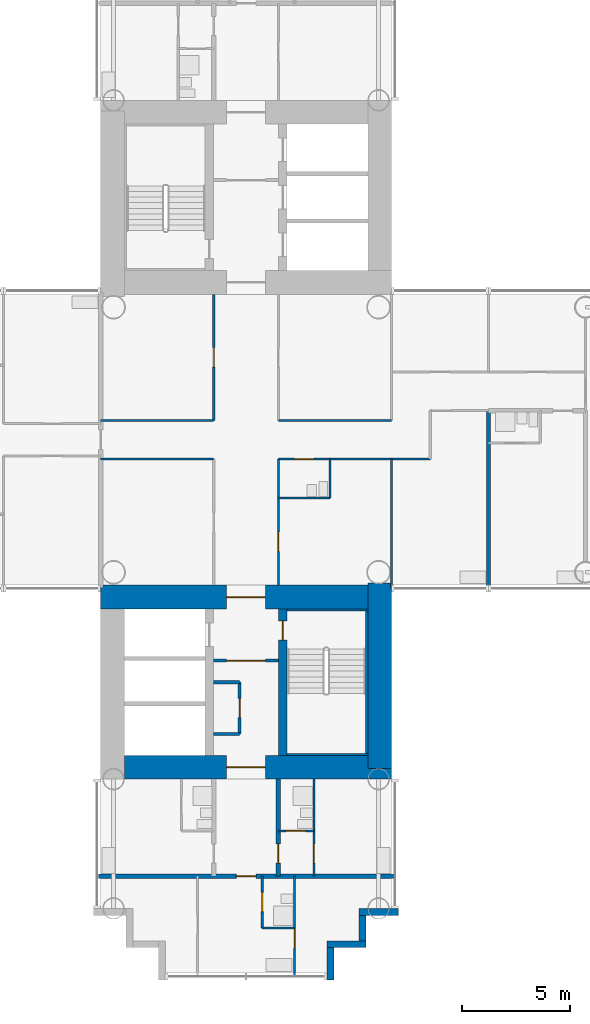
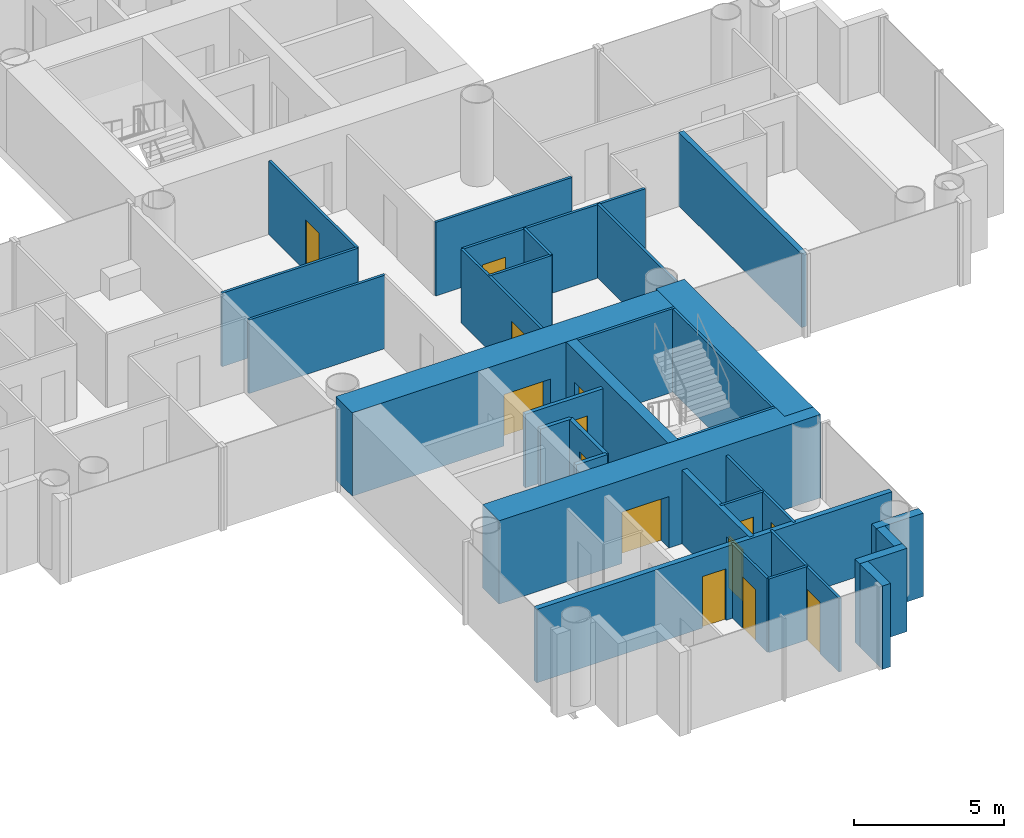
# One storey, part 14 of 22: 32 walls, 14 doors, 14 openings.
"""IFC4 building model written with IfcOpenShell, lengths in metres."""

from ifc_helpers import new_model, si_unit, direction, frame, frame_2d, origin, place, context, subcontext, project, spatial, rectangle, extrude, material, layer, layer_set, type_object, element, fill, save


model = new_model("IFC4")

# Units and contexts
model_context = context("Model", 3, precision=1e-05, world=origin(), true_north=direction((0.0, 1.0)))
body_context = subcontext(model_context, "Body", "Model", "MODEL_VIEW")
ifc_project = project(units=[si_unit("LENGTHUNIT", "METRE"), si_unit("AREAUNIT", "SQUARE_METRE"), si_unit("VOLUMEUNIT", "CUBIC_METRE"), si_unit("PLANEANGLEUNIT", "RADIAN"), si_unit("MASSUNIT", "GRAM", prefix="KILO")], contexts=[model_context])

# Site, building, storey
site_placement = place(None, origin())
site = spatial("IfcSite", under=ifc_project, at=site_placement, CompositionType="ELEMENT")
building_placement = place(site_placement, origin())
building = spatial("IfcBuilding", under=site, at=building_placement, Name="Ipe Terrace Towers", CompositionType="ELEMENT")
storey_placement = place(building_placement, frame((0.0, 0.0, 61.89990234375)))
storey = spatial("IfcBuildingStorey", under=building, at=storey_placement, Name="L16", CompositionType="ELEMENT", Elevation=61.89990234375)

# Walls
ifc_material_1 = material(Name="Concrete C40/50 with buff precast cladding", Category="concrete")
ifc_layer_1 = layer(ifc_material_1, 0.320068359375)
ifc_layer_set_1 = layer_set([ifc_layer_1], Name="BUFF CLADDING WALL 320")
wall_type_1 = type_object("IfcWallType", Name="BUFF CLADDING WALL 320", PredefinedType="STANDARD", material=ifc_layer_set_1)
wall_1_placement = place(storey_placement, frame((39.909912109375, -25.070068359375, -0.2998046875), z_axis=(0.0, 0.0, 1.0), x_axis=(0.0, 1.0, 0.0)))
element("IfcWall", 1, at=wall_1_placement, inside=storey, type_object=wall_type_1, Name="T2-W-L16-00a wall", PredefinedType="STANDARD", context=body_context, shape_type="SweptSolid", body=[
    extrude(rectangle(XDim=1.5, YDim=0.320068359375, at=frame_2d((0.75, 0.0))), origin(), (0.0, 0.0, 1.0), 3.39990234375),
])
wall_2_placement = place(storey_placement, frame((39.75, -23.409912109375, -0.2998046875), z_axis=(0.0, 0.0, 1.0), x_axis=(1.0, 0.0, 0.0)))
element("IfcWall", 2, at=wall_2_placement, inside=storey, type_object=wall_type_1, Name="T2-W-L16-01a wall", PredefinedType="STANDARD", context=body_context, shape_type="SweptSolid", body=[
    extrude(rectangle(XDim=1.820068359375, YDim=0.320068359375, at=frame_2d((0.91015625, 0.0))), origin(), (0.0, 0.0, 1.0), 3.39990234375),
])
wall_3_placement = place(storey_placement, frame((41.409912109375, -23.25, -0.2998046875), z_axis=(0.0, 0.0, 1.0), x_axis=(0.0, 1.0, 0.0)))
element("IfcWall", 3, at=wall_3_placement, inside=storey, type_object=wall_type_1, Name="T2-W-L16-02a wall", PredefinedType="STANDARD", context=body_context, shape_type="SweptSolid", body=[
    extrude(rectangle(XDim=1.179931640625, YDim=0.320068359375, at=frame_2d((0.58984375, 0.0))), origin(), (0.0, 0.0, 1.0), 3.39990234375),
])
wall_4_placement = place(storey_placement, frame((41.25, -21.909912109375, -0.2998046875), z_axis=(0.0, 0.0, 1.0), x_axis=(1.0, 0.0, 0.0)))
element("IfcWall", 4, at=wall_4_placement, inside=storey, type_object=wall_type_1, Name="T2-W-L16-03a wall", PredefinedType="STANDARD", context=body_context, shape_type="SweptSolid", body=[
    extrude(rectangle(XDim=1.820068359375, YDim=0.320068359375, at=frame_2d((0.91015625, 0.0))), origin(), (0.0, 0.0, 1.0), 3.39990234375),
])
ifc_material_2 = material(Name="Gypsum board partition", Category="plasterboard")
ifc_layer_2 = layer(ifc_material_2, 0.10009765625)
ifc_layer_set_2 = layer_set([ifc_layer_2], Name="Gypsum board partition 100 mm")
wall_type_2 = type_object("IfcWallType", Name="Gypsum board partition 100 mm", PredefinedType="PARTITIONING", material=ifc_layer_set_2)
wall_5_placement = place(storey_placement, frame((38.25, -22.64990234375, 0.0), z_axis=(0.0, 0.0, 1.0), x_axis=(-1.0, 0.0, 0.0)))
element("IfcWall", 5, at=wall_5_placement, inside=storey, type_object=wall_type_2, Name="Gypsum board partition T2 L16 W01", PredefinedType="PARTITIONING", context=body_context, shape_type="SweptSolid", body=[
    extrude(rectangle(XDim=1.5, YDim=0.10009765625, at=frame_2d((0.75, 0.0))), origin(), (0.0, 0.0, 1.0), 3.0),
])

# Wall, opening, door
wall_6_placement = place(storey_placement, frame((39.14990234375, -18.14990234375, 0.0), z_axis=(0.0, 0.0, 1.0), x_axis=(-1.0, 0.0, 0.0)))
wall_6 = element("IfcWall", 6, at=wall_6_placement, inside=storey, type_object=wall_type_2, Name="Gypsum board partition T2 L16 W03", PredefinedType="PARTITIONING", context=body_context, shape_type="SweptSolid", body=[
    extrude(rectangle(XDim=1.64990234375, YDim=0.10009765625, at=frame_2d((0.824951171875, 0.0))), origin(), (0.0, 0.0, 1.0), 3.0),
])
opening_1_placement = place(wall_6_placement, frame((0.39990234375, 0.0, 0.0)))
opening_1 = element("IfcOpeningElement", 7, at=opening_1_placement, cuts=wall_6, Name="Opening T2-Z1D-32", PredefinedType="OPENING", context=body_context, shape_type="SweptSolid", body=[
    extrude(rectangle(XDim=0.89990234375, YDim=2.10009765625, at=frame_2d((0.449951171875, 1.050048828125))), frame((0.0, 0.06005859375, 0.0), z_axis=(0.0, -1.0, 0.0), x_axis=(1.0, 0.0, 0.0)), (0.0, 0.0, 1.0), 0.1201171875),
])
ifc_material_3 = material(Name="Timber door leaf", Category="wood")
door_type_1 = type_object("IfcDoorType", Name="Bathroom door 900 x 2100", OperationType="NOTDEFINED", PredefinedType="DOOR", material=ifc_material_3)
door_1_placement = place(opening_1_placement, origin())
door_1 = element("IfcDoor", 8, at=door_1_placement, inside=storey, type_object=door_type_1, Name="Bathroom door T2-Z1D-32", OperationType="SINGLE_SWING_RIGHT", OverallHeight=2.10009765625, OverallWidth=0.89990234375, PredefinedType="DOOR", context=body_context, shape_type="SweptSolid", body=[
    extrude(rectangle(XDim=0.89990234375, YDim=2.10009765625, at=frame_2d((0.449951171875, 1.050048828125))), frame((0.0, 0.02490234375, 0.0), z_axis=(0.0, -1.0, 0.0), x_axis=(1.0, 0.0, 0.0)), (0.0, 0.0, 1.0), 0.050048828125),
])
fill(opening_1, door_1)

# Wall
wall_7_placement = place(storey_placement, frame((39.89990234375, -2.699951171875, 0.0), z_axis=(0.0, 0.0, 1.0), x_axis=(-1.0, 0.0, 0.0)))
element("IfcWall", 9, at=wall_7_placement, inside=storey, type_object=wall_type_2, Name="Gypsum board partition T2 L16 W06", PredefinedType="PARTITIONING", context=body_context, shape_type="SweptSolid", body=[
    extrude(rectangle(XDim=2.39990234375, YDim=0.10009765625, at=frame_2d((1.199951171875, 0.0))), origin(), (0.0, 0.0, 1.0), 3.0),
])

# Wall, opening, door
wall_8_placement = place(storey_placement, frame((44.550048828125, -0.89990234375, 0.0), z_axis=(0.0, 0.0, 1.0), x_axis=(-1.0, 0.0, 0.0)))
wall_8 = element("IfcWall", 10, at=wall_8_placement, inside=storey, type_object=wall_type_2, Name="Gypsum board partition T2 L16 W08", PredefinedType="PARTITIONING", context=body_context, shape_type="SweptSolid", body=[
    extrude(rectangle(XDim=7.050048828125, YDim=0.10009765625, at=frame_2d((3.52490234375, 0.0))), origin(), (0.0, 0.0, 1.0), 3.0),
])
opening_2_placement = place(wall_8_placement, frame((5.39990234375, 0.0, 0.0)))
opening_2 = element("IfcOpeningElement", 11, at=opening_2_placement, cuts=wall_8, Name="Opening T2-Z1D-01", PredefinedType="OPENING", context=body_context, shape_type="SweptSolid", body=[
    extrude(rectangle(XDim=0.89990234375, YDim=2.10009765625, at=frame_2d((0.449951171875, 1.050048828125))), frame((0.0, 0.06005859375, 0.0), z_axis=(0.0, -1.0, 0.0), x_axis=(1.0, 0.0, 0.0)), (0.0, 0.0, 1.0), 0.1201171875),
])
door_2_placement = place(opening_2_placement, origin())
door_2 = element("IfcDoor", 12, at=door_2_placement, inside=storey, type_object=door_type_1, Name="Bathroom door T2-Z1D-01", OperationType="SINGLE_SWING_LEFT", OverallHeight=2.10009765625, OverallWidth=0.89990234375, PredefinedType="DOOR", context=body_context, shape_type="SweptSolid", body=[
    extrude(rectangle(XDim=0.89990234375, YDim=2.10009765625, at=frame_2d((0.449951171875, 1.050048828125))), frame((0.0, 0.02490234375, 0.0), z_axis=(0.0, -1.0, 0.0), x_axis=(1.0, 0.0, 0.0)), (0.0, 0.0, 1.0), 0.050048828125),
])
fill(opening_2, door_2)

# Walls
for number, where, z_axis, x_axis, name in (
    (13, (34.5, -0.89990234375, 0.0), (0.0, 0.0, 1.0), (-1.0, 0.0, 0.0), "Gypsum board partition T2 L16 W09"),
    (14, (42.75, 0.89990234375, 0.0), (0.0, 0.0, 1.0), (-1.0, 0.0, 0.0), "Gypsum board partition T2 L16 W14"),
    (15, (34.5, 0.89990234375, 0.0), (0.0, 0.0, 1.0), (-1.0, 0.0, 0.0), "Gypsum board partition T2 L16 W15"),
):
    element("IfcWall", number, at=place(storey_placement, frame(where, z_axis=z_axis, x_axis=x_axis)), inside=storey, type_object=wall_type_2, Name=name, PredefinedType="PARTITIONING", context=body_context, shape_type="SweptSolid", body=[
        extrude(rectangle(XDim=5.25, YDim=0.10009765625, at=frame_2d((2.625, 0.0))), origin(), (0.0, 0.0, 1.0), 3.0),
    ])
wall_9_placement = place(storey_placement, frame((42.75, -6.85009765625, 0.0), z_axis=(0.0, 0.0, 1.0), x_axis=(0.0, 1.0, 0.0)))
element("IfcWall", 16, at=wall_9_placement, inside=storey, type_object=wall_type_2, Name="Gypsum board partition T2 L16 W30", PredefinedType="PARTITIONING", context=body_context, shape_type="SweptSolid", body=[
    extrude(rectangle(XDim=5.9501953125, YDim=0.10009765625, at=frame_2d((2.97509765625, 0.0))), origin(), (0.0, 0.0, 1.0), 3.0),
])
wall_10_placement = place(storey_placement, frame((39.89990234375, -2.699951171875, 0.0), z_axis=(0.0, 0.0, 1.0), x_axis=(0.0, 1.0, 0.0)))
element("IfcWall", 17, at=wall_10_placement, inside=storey, type_object=wall_type_2, Name="Gypsum board partition T2 L16 W32", PredefinedType="PARTITIONING", context=body_context, shape_type="SweptSolid", body=[
    extrude(rectangle(XDim=1.800048828125, YDim=0.10009765625, at=frame_2d((0.89990234375, 0.0))), origin(), (0.0, 0.0, 1.0), 3.0),
])

# Wall, opening, door
wall_11_placement = place(storey_placement, frame((39.14990234375, -20.25, 0.0), z_axis=(0.0, 0.0, 1.0), x_axis=(0.0, 1.0, 0.0)))
wall_11 = element("IfcWall", 18, at=wall_11_placement, inside=storey, type_object=wall_type_2, Name="Gypsum board partition T2 L16 W33", PredefinedType="PARTITIONING", context=body_context, shape_type="SweptSolid", body=[
    extrude(rectangle(XDim=4.5, YDim=0.10009765625, at=frame_2d((2.25, 0.0))), origin(), (0.0, 0.0, 1.0), 3.0),
])
opening_3_placement = place(wall_11_placement, frame((0.60009765625, 0.0, 0.0)))
opening_3 = element("IfcOpeningElement", 19, at=opening_3_placement, cuts=wall_11, Name="Opening T2-Z1D-31", PredefinedType="OPENING", context=body_context, shape_type="SweptSolid", body=[
    extrude(rectangle(XDim=0.89990234375, YDim=2.10009765625, at=frame_2d((0.449951171875, 1.050048828125))), frame((0.0, 0.06005859375, 0.0), z_axis=(0.0, -1.0, 0.0), x_axis=(1.0, 0.0, 0.0)), (0.0, 0.0, 1.0), 0.1201171875),
])
ifc_material_4 = material(Name="Timber door leaf", Category="wood")
door_type_2 = type_object("IfcDoorType", Name="Bedroom door 900 x 2100", OperationType="NOTDEFINED", PredefinedType="DOOR", material=ifc_material_4)
door_3_placement = place(opening_3_placement, origin())
door_3 = element("IfcDoor", 20, at=door_3_placement, inside=storey, type_object=door_type_2, Name="Bedroom door T2-Z1D-31", OperationType="SINGLE_SWING_LEFT", OverallHeight=2.10009765625, OverallWidth=0.89990234375, PredefinedType="DOOR", context=body_context, shape_type="SweptSolid", body=[
    extrude(rectangle(XDim=0.89990234375, YDim=2.10009765625, at=frame_2d((0.449951171875, 1.050048828125))), frame((0.0, 0.02490234375, 0.0), z_axis=(0.0, -1.0, 0.0), x_axis=(1.0, 0.0, 0.0)), (0.0, 0.0, 1.0), 0.050048828125),
])
fill(opening_3, door_3)

wall_12_placement = place(storey_placement, frame((38.25, -24.85009765625, 0.0), z_axis=(0.0, 0.0, 1.0), x_axis=(0.0, 1.0, 0.0)))
wall_12 = element("IfcWall", 21, at=wall_12_placement, inside=storey, type_object=wall_type_2, Name="Gypsum board partition T2 L16 W34", PredefinedType="PARTITIONING", context=body_context, shape_type="SweptSolid", body=[
    extrude(rectangle(XDim=4.60009765625, YDim=0.10009765625, at=frame_2d((2.300048828125, 0.0))), origin(), (0.0, 0.0, 1.0), 3.0),
])
opening_4_placement = place(wall_12_placement, frame((1.25, 0.0, 0.0)))
opening_4 = element("IfcOpeningElement", 22, at=opening_4_placement, cuts=wall_12, Name="Opening T2-Z1D-37", PredefinedType="OPENING", context=body_context, shape_type="SweptSolid", body=[
    extrude(rectangle(XDim=0.89990234375, YDim=2.10009765625, at=frame_2d((0.449951171875, 1.050048828125))), frame((0.0, 0.06005859375, 0.0), z_axis=(0.0, -1.0, 0.0), x_axis=(1.0, 0.0, 0.0)), (0.0, 0.0, 1.0), 0.1201171875),
])
ifc_material_5 = material(Name="Timber door leaf", Category="wood")
door_type_3 = type_object("IfcDoorType", Name="Lounge door 900 x 2100", OperationType="NOTDEFINED", PredefinedType="DOOR", material=ifc_material_5)
door_4_placement = place(opening_4_placement, origin())
door_4 = element("IfcDoor", 23, at=door_4_placement, inside=storey, type_object=door_type_3, Name="Lounge door T2-Z1D-37", OperationType="SINGLE_SWING_LEFT", OverallHeight=2.10009765625, OverallWidth=0.89990234375, PredefinedType="DOOR", context=body_context, shape_type="SweptSolid", body=[
    extrude(rectangle(XDim=0.89990234375, YDim=2.10009765625, at=frame_2d((0.449951171875, 1.050048828125))), frame((0.0, 0.02490234375, 0.0), z_axis=(0.0, -1.0, 0.0), x_axis=(1.0, 0.0, 0.0)), (0.0, 0.0, 1.0), 0.050048828125),
])
fill(opening_4, door_4)

wall_13_placement = place(storey_placement, frame((37.5, -6.75, 0.0), z_axis=(0.0, 0.0, 1.0), x_axis=(0.0, 1.0, 0.0)))
wall_13 = element("IfcWall", 24, at=wall_13_placement, inside=storey, type_object=wall_type_2, Name="Gypsum board partition T2 L16 W36", PredefinedType="PARTITIONING", context=body_context, shape_type="SweptSolid", body=[
    extrude(rectangle(XDim=5.85009765625, YDim=0.10009765625, at=frame_2d((2.925048828125, 0.0))), origin(), (0.0, 0.0, 1.0), 3.0),
])
opening_5_placement = place(wall_13_placement, frame((1.574951171875, 0.0, 0.0)))
opening_5 = element("IfcOpeningElement", 25, at=opening_5_placement, cuts=wall_13, Name="Opening T2-Z1D-04", PredefinedType="OPENING", context=body_context, shape_type="SweptSolid", body=[
    extrude(rectangle(XDim=0.89990234375, YDim=2.10009765625, at=frame_2d((0.449951171875, 1.050048828125))), frame((0.0, 0.06005859375, 0.0), z_axis=(0.0, -1.0, 0.0), x_axis=(1.0, 0.0, 0.0)), (0.0, 0.0, 1.0), 0.1201171875),
])
door_5_placement = place(opening_5_placement, origin())
door_5 = element("IfcDoor", 26, at=door_5_placement, inside=storey, type_object=door_type_3, Name="Lounge door T2-Z1D-04", OperationType="SINGLE_SWING_LEFT", OverallHeight=2.10009765625, OverallWidth=0.89990234375, PredefinedType="DOOR", context=body_context, shape_type="SweptSolid", body=[
    extrude(rectangle(XDim=0.89990234375, YDim=2.10009765625, at=frame_2d((0.449951171875, 1.050048828125))), frame((0.0, 0.02490234375, 0.0), z_axis=(0.0, -1.0, 0.0), x_axis=(1.0, 0.0, 0.0)), (0.0, 0.0, 1.0), 0.050048828125),
])
fill(opening_5, door_5)

wall_14_placement = place(storey_placement, frame((36.75, -22.64990234375, 0.0), z_axis=(0.0, 0.0, 1.0), x_axis=(0.0, 1.0, 0.0)))
wall_14 = element("IfcWall", 27, at=wall_14_placement, inside=storey, type_object=wall_type_2, Name="Gypsum board partition T2 L16 W40", PredefinedType="PARTITIONING", context=body_context, shape_type="SweptSolid", body=[
    extrude(rectangle(XDim=2.39990234375, YDim=0.10009765625, at=frame_2d((1.199951171875, 0.0))), origin(), (0.0, 0.0, 1.0), 3.0),
])
opening_6_placement = place(wall_14_placement, frame((0.75, 0.0, 0.0)))
opening_6 = element("IfcOpeningElement", 28, at=opening_6_placement, cuts=wall_14, Name="Opening T2-Z1D-35", PredefinedType="OPENING", context=body_context, shape_type="SweptSolid", body=[
    extrude(rectangle(XDim=0.89990234375, YDim=2.10009765625, at=frame_2d((0.449951171875, 1.050048828125))), frame((0.0, 0.06005859375, 0.0), z_axis=(0.0, -1.0, 0.0), x_axis=(1.0, 0.0, 0.0)), (0.0, 0.0, 1.0), 0.1201171875),
])
door_6_placement = place(opening_6_placement, origin())
door_6 = element("IfcDoor", 29, at=door_6_placement, inside=storey, type_object=door_type_1, Name="Bathroom door T2-Z1D-35", OperationType="SINGLE_SWING_RIGHT", OverallHeight=2.10009765625, OverallWidth=0.89990234375, PredefinedType="DOOR", context=body_context, shape_type="SweptSolid", body=[
    extrude(rectangle(XDim=0.89990234375, YDim=2.10009765625, at=frame_2d((0.449951171875, 1.050048828125))), frame((0.0, 0.02490234375, 0.0), z_axis=(0.0, -1.0, 0.0), x_axis=(1.0, 0.0, 0.0)), (0.0, 0.0, 1.0), 0.050048828125),
])
fill(opening_6, door_6)

wall_15_placement = place(storey_placement, frame((34.5, 0.89990234375, 0.0), z_axis=(0.0, 0.0, 1.0), x_axis=(0.0, 1.0, 0.0)))
wall_15 = element("IfcWall", 30, at=wall_15_placement, inside=storey, type_object=wall_type_2, Name="Gypsum board partition T2 L16 W43", PredefinedType="PARTITIONING", context=body_context, shape_type="SweptSolid", body=[
    extrude(rectangle(XDim=5.85009765625, YDim=0.10009765625, at=frame_2d((2.925048828125, 0.0))), origin(), (0.0, 0.0, 1.0), 3.0),
])
opening_7_placement = place(wall_15_placement, frame((2.47509765625, 0.0, 0.0)))
opening_7 = element("IfcOpeningElement", 31, at=opening_7_placement, cuts=wall_15, Name="Opening T2-Z1D-02", PredefinedType="OPENING", context=body_context, shape_type="SweptSolid", body=[
    extrude(rectangle(XDim=0.89990234375, YDim=2.10009765625, at=frame_2d((0.449951171875, 1.050048828125))), frame((0.0, 0.06005859375, 0.0), z_axis=(0.0, -1.0, 0.0), x_axis=(1.0, 0.0, 0.0)), (0.0, 0.0, 1.0), 0.1201171875),
])
door_7_placement = place(opening_7_placement, origin())
door_7 = element("IfcDoor", 32, at=door_7_placement, inside=storey, type_object=door_type_3, Name="Lounge door T2-Z1D-02", OperationType="SINGLE_SWING_LEFT", OverallHeight=2.10009765625, OverallWidth=0.89990234375, PredefinedType="DOOR", context=body_context, shape_type="SweptSolid", body=[
    extrude(rectangle(XDim=0.89990234375, YDim=2.10009765625, at=frame_2d((0.449951171875, 1.050048828125))), frame((0.0, 0.02490234375, 0.0), z_axis=(0.0, -1.0, 0.0), x_axis=(1.0, 0.0, 0.0)), (0.0, 0.0, 1.0), 0.050048828125),
])
fill(opening_7, door_7)

ifc_material_6 = material(Name="Gypsum board partition", Category="plasterboard")
ifc_layer_3 = layer(ifc_material_6, 0.14990234375)
ifc_layer_set_3 = layer_set([ifc_layer_3], Name="Gypsum board partition 150 mm")
wall_type_3 = type_object("IfcWallType", Name="Gypsum board partition 150 mm", PredefinedType="PARTITIONING", material=ifc_layer_set_3)
wall_16_placement = place(storey_placement, frame((34.5, -10.25, 0.0), z_axis=(0.0, 0.0, 1.0), x_axis=(1.0, 0.0, 0.0)))
wall_16 = element("IfcWall", 33, at=wall_16_placement, inside=storey, type_object=wall_type_3, Name="Gypsum board partition T2 L16 t2c2-lobby-wall", PredefinedType="PARTITIONING", context=body_context, shape_type="SweptSolid", body=[
    extrude(rectangle(XDim=3.0, YDim=0.14990234375, at=frame_2d((1.5, 0.0))), origin(), (0.0, 0.0, 1.0), 3.0),
])
opening_8_placement = place(wall_16_placement, frame((0.60009765625, 0.0, 0.0)))
opening_8 = element("IfcOpeningElement", 34, at=opening_8_placement, cuts=wall_16, Name="Opening T2C2-VD", PredefinedType="OPENING", context=body_context, shape_type="SweptSolid", body=[
    extrude(rectangle(XDim=1.800048828125, YDim=2.10009765625, at=frame_2d((0.89990234375, 1.050048828125))), frame((0.0, 0.0849609375, 0.0), z_axis=(0.0, -1.0, 0.0), x_axis=(1.0, 0.0, 0.0)), (0.0, 0.0, 1.0), 0.169921875),
])
ifc_material_7 = material(Name="Fire-rated timber door leaf", Category="wood")
door_type_4 = type_object("IfcDoorType", Name="Lobby door 1800 x 2100 FD60", OperationType="NOTDEFINED", PredefinedType="DOOR", material=ifc_material_7)
door_8_placement = place(opening_8_placement, origin())
door_8 = element("IfcDoor", 35, at=door_8_placement, inside=storey, type_object=door_type_4, Name="Lobby door T2C2-VD", OperationType="SINGLE_SWING_LEFT", OverallHeight=2.10009765625, OverallWidth=1.800048828125, PredefinedType="DOOR", context=body_context, shape_type="SweptSolid", body=[
    extrude(rectangle(XDim=1.800048828125, YDim=2.10009765625, at=frame_2d((0.89990234375, 1.050048828125))), frame((0.0, 0.02490234375, 0.0), z_axis=(0.0, -1.0, 0.0), x_axis=(1.0, 0.0, 0.0)), (0.0, 0.0, 1.0), 0.050048828125),
])
fill(opening_8, door_8)

wall_17_placement = place(storey_placement, frame((35.699951171875, -11.25, 0.0), z_axis=(0.0, 0.0, 1.0), x_axis=(0.0, -1.0, 0.0)))
wall_17 = element("IfcWall", 36, at=wall_17_placement, inside=storey, type_object=wall_type_3, Name="Gypsum board partition T2 L16 t2c2-cup-s-f", PredefinedType="PARTITIONING", context=body_context, shape_type="SweptSolid", body=[
    extrude(rectangle(XDim=2.39990234375, YDim=0.14990234375, at=frame_2d((1.199951171875, 0.0))), origin(), (0.0, 0.0, 1.0), 3.0),
])
opening_9_placement = place(wall_17_placement, frame((0.75, 0.0, 0.0)))
opening_9 = element("IfcOpeningElement", 37, at=opening_9_placement, cuts=wall_17, Name="Opening T2C2-SC", PredefinedType="OPENING", context=body_context, shape_type="SweptSolid", body=[
    extrude(rectangle(XDim=0.89990234375, YDim=2.10009765625, at=frame_2d((0.449951171875, 1.050048828125))), frame((0.0, 0.0849609375, 0.0), z_axis=(0.0, -1.0, 0.0), x_axis=(1.0, 0.0, 0.0)), (0.0, 0.0, 1.0), 0.169921875),
])
ifc_material_8 = material(Name="Fire-rated timber door leaf", Category="wood")
door_type_5 = type_object("IfcDoorType", Name="Service door 900 x 2100 FD30S", OperationType="NOTDEFINED", PredefinedType="DOOR", material=ifc_material_8)
door_9_placement = place(opening_9_placement, origin())
door_9 = element("IfcDoor", 38, at=door_9_placement, inside=storey, type_object=door_type_5, Name="Service door T2C2-SC", OperationType="SINGLE_SWING_LEFT", OverallHeight=2.10009765625, OverallWidth=0.89990234375, PredefinedType="DOOR", context=body_context, shape_type="SweptSolid", body=[
    extrude(rectangle(XDim=0.89990234375, YDim=2.10009765625, at=frame_2d((0.449951171875, 1.050048828125))), frame((0.0, 0.02490234375, 0.0), z_axis=(0.0, -1.0, 0.0), x_axis=(1.0, 0.0, 0.0)), (0.0, 0.0, 1.0), 0.050048828125),
])
fill(opening_9, door_9)

# Walls
for number, where, z_axis, x_axis, name in (
    (39, (35.699951171875, -11.25, 0.0), (0.0, 0.0, 1.0), (-1.0, 0.0, 0.0), "Gypsum board partition T2 L16 t2c2-cup-s-a"),
    (40, (35.699951171875, -13.64990234375, 0.0), (0.0, 0.0, 1.0), (-1.0, 0.0, 0.0), "Gypsum board partition T2 L16 t2c2-cup-s-b"),
):
    element("IfcWall", number, at=place(storey_placement, frame(where, z_axis=z_axis, x_axis=x_axis)), inside=storey, type_object=wall_type_3, Name=name, PredefinedType="PARTITIONING", context=body_context, shape_type="SweptSolid", body=[
        extrude(rectangle(XDim=1.199951171875, YDim=0.14990234375, at=frame_2d((0.60009765625, 0.0))), origin(), (0.0, 0.0, 1.0), 3.0),
    ])

# Wall, opening, door
ifc_material_9 = material(Name="Gypsum board party wall", Category="plasterboard")
ifc_layer_4 = layer(ifc_material_9, 0.199951171875)
ifc_layer_set_4 = layer_set([ifc_layer_4], Name="Gypsum board party wall 200 mm")
wall_type_4 = type_object("IfcWallType", Name="Gypsum board party wall 200 mm", PredefinedType="SOLIDWALL", material=ifc_layer_set_4)
wall_18_placement = place(storey_placement, frame((42.85009765625, -20.25, 0.0), z_axis=(0.0, 0.0, 1.0), x_axis=(-1.0, 0.0, 0.0)))
wall_18 = element("IfcWall", 41, at=wall_18_placement, inside=storey, type_object=wall_type_4, Name="Gypsum board party wall T2 L16 W02", PredefinedType="SOLIDWALL", context=body_context, shape_type="SweptSolid", body=[
    extrude(rectangle(XDim=13.7001953125, YDim=0.199951171875, at=frame_2d((6.85009765625, 0.0))), origin(), (0.0, 0.0, 1.0), 3.0),
])
opening_10_placement = place(wall_18_placement, frame((6.39990234375, 0.0, 0.0)))
opening_10 = element("IfcOpeningElement", 42, at=opening_10_placement, cuts=wall_18, Name="Opening T2-Z1D-36", PredefinedType="OPENING", context=body_context, shape_type="SweptSolid", body=[
    extrude(rectangle(XDim=0.89990234375, YDim=2.10009765625, at=frame_2d((0.449951171875, 1.050048828125))), frame((0.0, 0.10986328125, 0.0), z_axis=(0.0, -1.0, 0.0), x_axis=(1.0, 0.0, 0.0)), (0.0, 0.0, 1.0), 0.219970703125),
])
ifc_material_10 = material(Name="Fire-rated timber door leaf", Category="wood")
door_type_6 = type_object("IfcDoorType", Name="Flat entrance door 900 x 2100 FD30S", OperationType="NOTDEFINED", PredefinedType="DOOR", material=ifc_material_10)
door_10_placement = place(opening_10_placement, origin())
door_10 = element("IfcDoor", 43, at=door_10_placement, inside=storey, type_object=door_type_6, Name="Flat entrance door T2-Z1D-36", OperationType="SINGLE_SWING_LEFT", OverallHeight=2.10009765625, OverallWidth=0.89990234375, PredefinedType="DOOR", context=body_context, shape_type="SweptSolid", body=[
    extrude(rectangle(XDim=0.89990234375, YDim=2.10009765625, at=frame_2d((0.449951171875, 1.050048828125))), frame((0.0, 0.02490234375, 0.0), z_axis=(0.0, -1.0, 0.0), x_axis=(1.0, 0.0, 0.0)), (0.0, 0.0, 1.0), 0.050048828125),
])
fill(opening_10, door_10)

# Wall
wall_19_placement = place(storey_placement, frame((47.25, -6.85009765625, 0.0), z_axis=(0.0, 0.0, 1.0), x_axis=(0.0, 1.0, 0.0)))
element("IfcWall", 44, at=wall_19_placement, inside=storey, type_object=wall_type_4, Name="Gypsum board party wall T2 L16 W28", PredefinedType="SOLIDWALL", context=body_context, shape_type="SweptSolid", body=[
    extrude(rectangle(XDim=8.2001953125, YDim=0.199951171875, at=frame_2d((4.10009765625, 0.0))), origin(), (0.0, 0.0, 1.0), 3.0),
])

# Wall, opening, door
wall_20_placement = place(storey_placement, frame((37.5, -20.25, 0.0), z_axis=(0.0, 0.0, 1.0), x_axis=(0.0, 1.0, 0.0)))
wall_20 = element("IfcWall", 45, at=wall_20_placement, inside=storey, type_object=wall_type_4, Name="Gypsum board party wall T2 L16 W39", PredefinedType="SOLIDWALL", context=body_context, shape_type="SweptSolid", body=[
    extrude(rectangle(XDim=4.5, YDim=0.199951171875, at=frame_2d((2.25, 0.0))), origin(), (0.0, 0.0, 1.0), 3.0),
])
opening_11_placement = place(wall_20_placement, frame((0.60009765625, 0.0, 0.0)))
opening_11 = element("IfcOpeningElement", 46, at=opening_11_placement, cuts=wall_20, Name="Opening T2-Z1D-30", PredefinedType="OPENING", context=body_context, shape_type="SweptSolid", body=[
    extrude(rectangle(XDim=0.89990234375, YDim=2.10009765625, at=frame_2d((0.449951171875, 1.050048828125))), frame((0.0, 0.10986328125, 0.0), z_axis=(0.0, -1.0, 0.0), x_axis=(1.0, 0.0, 0.0)), (0.0, 0.0, 1.0), 0.219970703125),
])
door_11_placement = place(opening_11_placement, origin())
door_11 = element("IfcDoor", 47, at=door_11_placement, inside=storey, type_object=door_type_6, Name="Flat entrance door T2-Z1D-30", OperationType="SINGLE_SWING_LEFT", OverallHeight=2.10009765625, OverallWidth=0.89990234375, PredefinedType="DOOR", context=body_context, shape_type="SweptSolid", body=[
    extrude(rectangle(XDim=0.89990234375, YDim=2.10009765625, at=frame_2d((0.449951171875, 1.050048828125))), frame((0.0, 0.02490234375, 0.0), z_axis=(0.0, -1.0, 0.0), x_axis=(1.0, 0.0, 0.0)), (0.0, 0.0, 1.0), 0.050048828125),
])
fill(opening_11, door_11)

# Walls
ifc_material_11 = material(Name="Concrete C60/75", Category="concrete")
ifc_layer_5 = layer(ifc_material_11, 0.10009765625)
ifc_layer_set_5 = layer_set([ifc_layer_5], Name="RW100 CORE INFILL WALL 100 C60-75")
wall_type_5 = type_object("IfcWallType", Name="RW100 CORE INFILL WALL 100 C60-75", PredefinedType="SHEAR", material=ifc_layer_set_5)
wall_21_placement = place(storey_placement, frame((37.89990234375, -14.60009765625, 0.0), z_axis=(0.0, 0.0, 1.0), x_axis=(1.0, 0.0, 0.0)))
element("IfcWall", 48, at=wall_21_placement, inside=storey, type_object=wall_type_5, Name="Core infill wall T2-C2-far", PredefinedType="SHEAR", context=body_context, shape_type="SweptSolid", body=[
    extrude(rectangle(XDim=3.75, YDim=0.10009765625, at=frame_2d((1.875, 0.0))), origin(), (0.0, 0.0, 1.0), 3.400146484375),
])
wall_22_placement = place(storey_placement, frame((41.60009765625, -7.949951171875, 0.0), z_axis=(0.0, 0.0, 1.0), x_axis=(0.0, -1.0, 0.0)))
element("IfcWall", 49, at=wall_22_placement, inside=storey, type_object=wall_type_5, Name="Core infill wall T2-C2-back", PredefinedType="SHEAR", context=body_context, shape_type="SweptSolid", body=[
    extrude(rectangle(XDim=6.60009765625, YDim=0.10009765625, at=frame_2d((3.300048828125, 0.0))), origin(), (0.0, 0.0, 1.0), 3.400146484375),
])
wall_23_placement = place(storey_placement, frame((37.89990234375, -7.89990234375, 0.0), z_axis=(0.0, 0.0, 1.0), x_axis=(1.0, 0.0, 0.0)))
element("IfcWall", 50, at=wall_23_placement, inside=storey, type_object=wall_type_5, Name="Core infill wall T2-C2-near", PredefinedType="SHEAR", context=body_context, shape_type="SweptSolid", body=[
    extrude(rectangle(XDim=3.75, YDim=0.10009765625, at=frame_2d((1.875, 0.0))), origin(), (0.0, 0.0, 1.0), 3.400146484375),
])

# Wall, opening, door
ifc_material_12 = material(Name="Concrete C60/75", Category="concrete")
ifc_layer_6 = layer(ifc_material_12, 1.10009765625)
ifc_layer_set_6 = layer_set([ifc_layer_6], Name="RW1100 CORE WALL 1100 C60-75")
wall_type_6 = type_object("IfcWallType", Name="RW1100 CORE WALL 1100 C60-75", PredefinedType="SHEAR", material=ifc_layer_set_6)
wall_24_placement = place(storey_placement, frame((30.35009765625, -15.199951171875, 0.0), z_axis=(0.0, 0.0, 1.0), x_axis=(1.0, 0.0, 0.0)))
wall_24 = element("IfcWall", 51, at=wall_24_placement, inside=storey, type_object=wall_type_6, Name="Core wall T2-C2-Z1-W01", PredefinedType="SHEAR", context=body_context, shape_type="SweptSolid", body=[
    extrude(rectangle(XDim=12.39990234375, YDim=1.10009765625, at=frame_2d((6.199951171875, 0.0))), origin(), (0.0, 0.0, 1.0), 3.400146484375),
])
opening_12_placement = place(wall_24_placement, frame((4.75, 0.0, 0.0)))
opening_12 = element("IfcOpeningElement", 52, at=opening_12_placement, cuts=wall_24, Name="Opening T2C2-FD", PredefinedType="OPENING", context=body_context, shape_type="SweptSolid", body=[
    extrude(rectangle(XDim=1.800048828125, YDim=2.10009765625, at=frame_2d((0.89990234375, 1.050048828125))), frame((0.0, 0.56005859375, 0.0), z_axis=(0.0, -1.0, 0.0), x_axis=(1.0, 0.0, 0.0)), (0.0, 0.0, 1.0), 1.1201171875),
])
ifc_material_13 = material(Name="Fire-rated timber door leaf", Category="wood")
door_type_7 = type_object("IfcDoorType", Name="Fire door 1800 x 2100 FD30S", OperationType="NOTDEFINED", PredefinedType="DOOR", material=ifc_material_13)
door_12_placement = place(opening_12_placement, origin())
door_12 = element("IfcDoor", 53, at=door_12_placement, inside=storey, type_object=door_type_7, Name="Fire door T2C2-FD", OperationType="SINGLE_SWING_LEFT", OverallHeight=2.10009765625, OverallWidth=1.800048828125, PredefinedType="DOOR", context=body_context, shape_type="SweptSolid", body=[
    extrude(rectangle(XDim=1.800048828125, YDim=2.10009765625, at=frame_2d((0.89990234375, 1.050048828125))), frame((0.0, 0.02490234375, 0.0), z_axis=(0.0, -1.0, 0.0), x_axis=(1.0, 0.0, 0.0)), (0.0, 0.0, 1.0), 0.050048828125),
])
fill(opening_12, door_12)

# Wall
wall_25_placement = place(storey_placement, frame((42.199951171875, -15.248046875, 0.0), z_axis=(0.0, 0.0, 1.0), x_axis=(0.0, 1.0, 0.0)))
element("IfcWall", 54, at=wall_25_placement, inside=storey, type_object=wall_type_6, Name="Core wall T2-C2-Z1-W02", PredefinedType="SHEAR", context=body_context, shape_type="SweptSolid", body=[
    extrude(rectangle(XDim=8.595947265625, YDim=1.10009765625, at=frame_2d((4.2978515625, 0.0))), origin(), (0.0, 0.0, 1.0), 3.400146484375),
])

# Wall, opening, door
wall_26_placement = place(storey_placement, frame((41.64990234375, -7.300048828125, 0.0), z_axis=(0.0, 0.0, 1.0), x_axis=(-1.0, 0.0, 0.0)))
wall_26 = element("IfcWall", 55, at=wall_26_placement, inside=storey, type_object=wall_type_6, Name="Core wall T2-C2-Z1-W03", PredefinedType="SHEAR", context=body_context, shape_type="SweptSolid", body=[
    extrude(rectangle(XDim=12.39990234375, YDim=1.10009765625, at=frame_2d((6.199951171875, 0.0))), origin(), (0.0, 0.0, 1.0), 3.400146484375),
])
opening_13_placement = place(wall_26_placement, frame((4.75, 0.0, 0.0)))
opening_13 = element("IfcOpeningElement", 56, at=opening_13_placement, cuts=wall_26, Name="Opening T2C2-ND", PredefinedType="OPENING", context=body_context, shape_type="SweptSolid", body=[
    extrude(rectangle(XDim=1.800048828125, YDim=2.10009765625, at=frame_2d((0.89990234375, 1.050048828125))), frame((0.0, 0.56005859375, 0.0), z_axis=(0.0, -1.0, 0.0), x_axis=(1.0, 0.0, 0.0)), (0.0, 0.0, 1.0), 1.1201171875),
])
door_13_placement = place(opening_13_placement, origin())
door_13 = element("IfcDoor", 57, at=door_13_placement, inside=storey, type_object=door_type_7, Name="Fire door T2C2-ND", OperationType="SINGLE_SWING_LEFT", OverallHeight=2.10009765625, OverallWidth=1.800048828125, PredefinedType="DOOR", context=body_context, shape_type="SweptSolid", body=[
    extrude(rectangle(XDim=1.800048828125, YDim=2.10009765625, at=frame_2d((0.89990234375, 1.050048828125))), frame((0.0, 0.02490234375, 0.0), z_axis=(0.0, -1.0, 0.0), x_axis=(1.0, 0.0, 0.0)), (0.0, 0.0, 1.0), 0.050048828125),
])
fill(opening_13, door_13)

ifc_material_14 = material(Name="Concrete C60/75", Category="concrete")
ifc_layer_7 = layer(ifc_material_14, 0.39990234375)
ifc_layer_set_7 = layer_set([ifc_layer_7], Name="RW400 CORE SPINE WALL 400 C60-75")
wall_type_7 = type_object("IfcWallType", Name="RW400 CORE SPINE WALL 400 C60-75", PredefinedType="SHEAR", material=ifc_layer_set_7)
wall_27_placement = place(storey_placement, frame((37.699951171875, -14.64990234375, 0.0), z_axis=(0.0, 0.0, 1.0), x_axis=(0.0, 1.0, 0.0)))
wall_27 = element("IfcWall", 58, at=wall_27_placement, inside=storey, type_object=wall_type_7, Name="Core spine wall T2-C2-Z1-SW2", PredefinedType="SHEAR", context=body_context, shape_type="SweptSolid", body=[
    extrude(rectangle(XDim=6.7998046875, YDim=0.39990234375, at=frame_2d((3.39990234375, 0.0))), origin(), (0.0, 0.0, 1.0), 3.400146484375),
])
opening_14_placement = place(wall_27_placement, frame((5.35009765625, 0.0, 0.0)))
opening_14 = element("IfcOpeningElement", 59, at=opening_14_placement, cuts=wall_27, Name="Opening T2C2-SD", PredefinedType="OPENING", context=body_context, shape_type="SweptSolid", body=[
    extrude(rectangle(XDim=0.89990234375, YDim=2.10009765625, at=frame_2d((0.449951171875, 1.050048828125))), frame((0.0, 0.2099609375, 0.0), z_axis=(0.0, -1.0, 0.0), x_axis=(1.0, 0.0, 0.0)), (0.0, 0.0, 1.0), 0.419921875),
])
ifc_material_15 = material(Name="Fire-rated timber door leaf", Category="wood")
door_type_8 = type_object("IfcDoorType", Name="Stair door 900 x 2100 FD60", OperationType="NOTDEFINED", PredefinedType="DOOR", material=ifc_material_15)
door_14_placement = place(opening_14_placement, origin())
door_14 = element("IfcDoor", 60, at=door_14_placement, inside=storey, type_object=door_type_8, Name="Stair door T2C2-SD", OperationType="SINGLE_SWING_RIGHT", OverallHeight=2.10009765625, OverallWidth=0.89990234375, PredefinedType="DOOR", context=body_context, shape_type="SweptSolid", body=[
    extrude(rectangle(XDim=0.89990234375, YDim=2.10009765625, at=frame_2d((0.449951171875, 1.050048828125))), frame((0.0, 0.02490234375, 0.0), z_axis=(0.0, -1.0, 0.0), x_axis=(1.0, 0.0, 0.0)), (0.0, 0.0, 1.0), 0.050048828125),
])
fill(opening_14, door_14)

save(model, "model.ifc")
